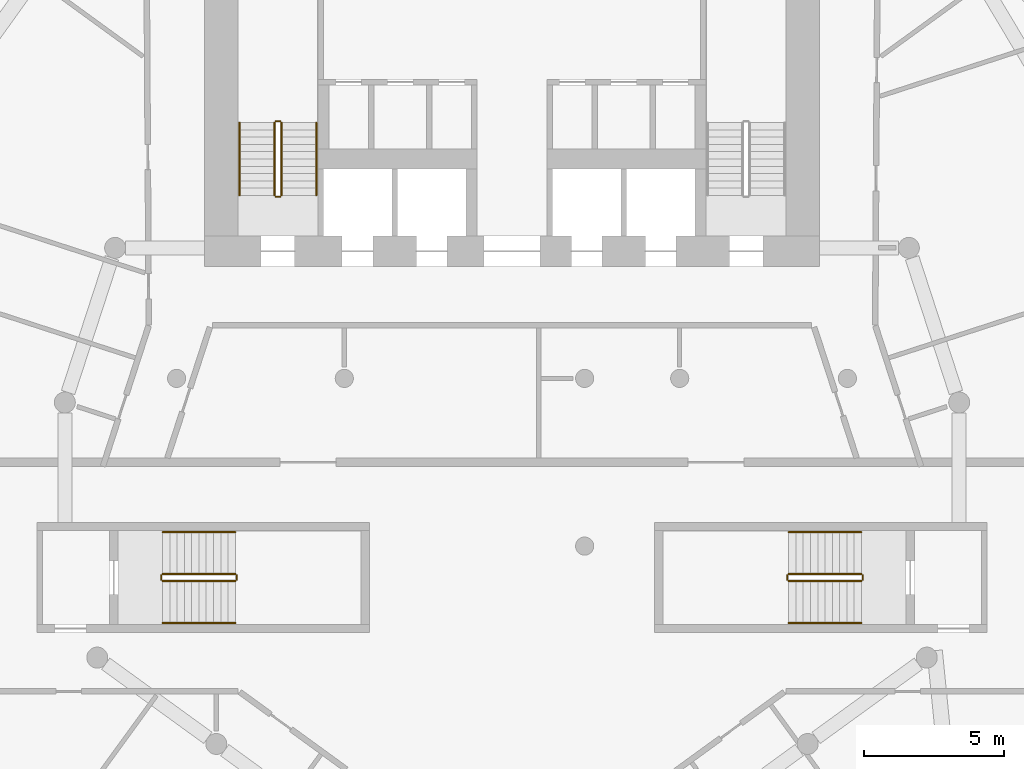
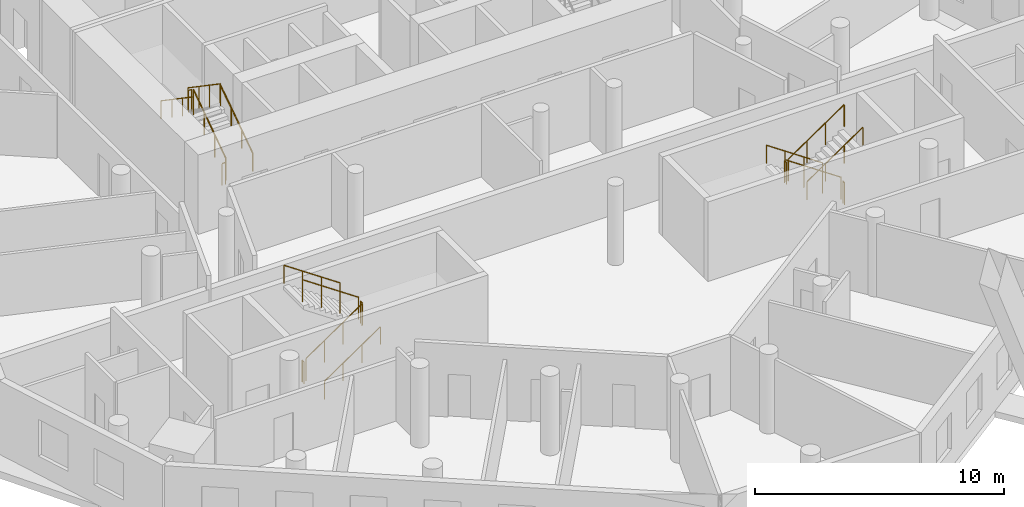
# One storey, part 9 of 10: 18 railings.
"""IFC4 building model written with IfcOpenShell, lengths in metres."""

import ifcopenshell
import ifcopenshell.guid

model = None  # the IFC model being written
_history = None  # IfcOwnerHistory: only IFC2X3 demands one
_inside = {}  # id of a spatial element -> (the spatial element, [elements in it])
_under = {}  # id of a project, library or spatial element -> (it, [spatial elements below it])
_declared = {}  # id of a project -> (the project, [libraries it declares])
_typed = {}  # id of a type object -> (the type object, [elements of that type])
_made_of = {}  # id of a material, layer set ... -> (it, [elements and type objects made of it])


def new_model(schema):
    """Start an empty IFC model of exactly this schema.

    Asked for "IFC4X3", IfcOpenShell would pick the latest addendum, in which some entities
    have other attributes; the version numbers below select the first issue.
    IFC2X3 requires an IfcOwnerHistory on every rooted entity: one is made here for all.
    """
    global model, _history
    if schema == "IFC4X3":
        model = ifcopenshell.file(schema_version=(4, 3, 0, 0))
    else:
        model = ifcopenshell.file(schema=schema)
    _inside.clear()
    _under.clear()
    _declared.clear()
    _typed.clear()
    _made_of.clear()
    _history = None
    if model.schema == "IFC2X3":
        org = make("IfcOrganization", Name="unknown")
        user = make(
            "IfcPersonAndOrganization",
            ThePerson=make("IfcPerson", FamilyName="unknown"),
            TheOrganization=org,
        )
        app = make(
            "IfcApplication",
            ApplicationDeveloper=org,
            Version="unknown",
            ApplicationFullName="unknown",
            ApplicationIdentifier="unknown",
        )
        _history = make(
            "IfcOwnerHistory",
            OwningUser=user,
            OwningApplication=app,
            ChangeAction="ADDED",
            CreationDate=0,
        )
    return model


def make(cls, **values):
    """One entity of the class cls with the attributes given. An attribute that is None is left unset."""
    return model.create_entity(
        cls, **{name: value for name, value in values.items() if value is not None}
    )


def rooted(cls, **values):
    """An entity with a GlobalId (a new one), such as an element, a storey or a relation."""
    return make(cls, GlobalId=ifcopenshell.guid.new(), OwnerHistory=_history, **values)


def si_unit(unit_type, name, prefix=None):
    """IfcSIUnit, for example si_unit("LENGTHUNIT", "METRE", prefix="MILLI")."""
    return make("IfcSIUnit", UnitType=unit_type, Prefix=prefix, Name=name)


def assignment(units):
    """IfcUnitAssignment: the units of a project."""
    return None if units is None else make("IfcUnitAssignment", Units=units)


def point(xyz):
    """IfcCartesianPoint."""
    return None if xyz is None else make("IfcCartesianPoint", Coordinates=xyz)


def direction(xyz):
    """IfcDirection."""
    return None if xyz is None else make("IfcDirection", DirectionRatios=xyz)


def frame(location, z_axis=None, x_axis=None):
    """IfcAxis2Placement3D, a coordinate frame: its origin and axes. An axis left out is left unset."""
    return make(
        "IfcAxis2Placement3D",
        Location=point(location),
        Axis=direction(z_axis),
        RefDirection=direction(x_axis),
    )


def frame_2d(location, x_axis=None):
    """IfcAxis2Placement2D, a coordinate frame in the plane: its origin and x axis."""
    return make(
        "IfcAxis2Placement2D", Location=point(location), RefDirection=direction(x_axis)
    )


def origin():
    """The frame at (0, 0, 0) with its axes left unset."""
    return frame((0.0, 0.0, 0.0))


def origin_2d():
    """The frame at (0, 0) in the plane with its x axis left unset."""
    return frame_2d((0.0, 0.0))


def place(relative_to, where):
    """IfcLocalPlacement: puts the frame where relative to a parent placement (None: the world)."""
    return make(
        "IfcLocalPlacement", PlacementRelTo=relative_to, RelativePlacement=where
    )


def context(
    kind, dimensions, precision=None, world=None, true_north=None, identifier=None
):
    """IfcGeometricRepresentationContext, for example the 3D "Model" context."""
    return make(
        "IfcGeometricRepresentationContext",
        ContextIdentifier=identifier,
        ContextType=kind,
        CoordinateSpaceDimension=dimensions,
        Precision=precision,
        WorldCoordinateSystem=world,
        TrueNorth=true_north,
    )


def subcontext(parent, identifier, kind, view, scale=None):
    """IfcGeometricRepresentationSubContext, for example "Body" below "Model"."""
    return make(
        "IfcGeometricRepresentationSubContext",
        ContextIdentifier=identifier,
        ContextType=kind,
        ParentContext=parent,
        TargetScale=scale,
        TargetView=view,
    )


def project(units=None, contexts=None):
    """IfcProject with its units and contexts."""
    return rooted(
        "IfcProject",
        Name="project",
        RepresentationContexts=contexts,
        UnitsInContext=assignment(units),
    )


def spatial(cls, under=None, at=None, **own):
    """A site, building, storey or space (cls), placed at a placement, below another one or the project."""
    s = rooted(cls, ObjectPlacement=at, **own)
    if under is not None:
        _under.setdefault(under.id(), (under, []))[1].append(s)
    return s


def profile(cls, at=None, kind="AREA", **sizes):
    """A parametric profile (cls). Its sizes go by their IFC names, for example OverallWidth=200.0."""
    return make(cls, ProfileType=kind, Position=at, **sizes)


def circle(**sizes):
    """IfcCircleProfileDef."""
    return profile("IfcCircleProfileDef", **sizes)


def extrude(swept, where, along, depth):
    """IfcExtrudedAreaSolid: the profile swept, set in the frame where, extruded along a direction by depth."""
    return make(
        "IfcExtrudedAreaSolid",
        SweptArea=swept,
        Position=where,
        ExtrudedDirection=direction(along),
        Depth=depth,
    )


def shape(context_of_items, identifier, shape_type, items):
    """IfcShapeRepresentation: the items that make up one representation, for example the "Body"."""
    return make(
        "IfcShapeRepresentation",
        ContextOfItems=context_of_items,
        RepresentationIdentifier=identifier,
        RepresentationType=shape_type,
        Items=items,
    )


def material(Name=None, Category=None):
    """IfcMaterial."""
    return make("IfcMaterial", Name=Name, Category=Category)


def made_of(thing, what):
    """Note that an element or type object is made of a material, layer set ...; save() writes the relation."""
    if what is not None:
        _made_of.setdefault(what.id(), (what, []))[1].append(thing)
    return thing


def type_object(cls, material=None, **own):
    """A type object (cls), such as IfcWallType, which elements share."""
    return made_of(rooted(cls, **own), material)


def element(
    cls,
    number,
    at=None,
    inside=None,
    cuts=None,
    type_object=None,
    material=None,
    context=None,
    identifier="Body",
    shape_type=None,
    held_by="IfcProductDefinitionShape",
    body=None,
    shapes=None,
    **own,
):
    """One element of the class cls, such as IfcWall. Its Tag is "e" and its number.

    at: its placement. inside: the storey or other place that contains it. cuts: it is an
    opening in that element (IfcRelVoidsElement). A single representation is given by context,
    identifier, shape_type and body (its items); several are given by shapes. held_by: the class
    of the entity that holds the representations. save() writes the other relations.
    """
    e = rooted(cls, Tag="e%d" % number, ObjectPlacement=at, **own)
    if body is not None:
        shapes = [shape(context, identifier, shape_type, body)]
    if shapes is not None:
        e.Representation = make(held_by, Representations=shapes)
    if inside is not None:
        _inside.setdefault(inside.id(), (inside, []))[1].append(e)
    if cuts is not None:
        rooted(
            "IfcRelVoidsElement", RelatingBuildingElement=cuts, RelatedOpeningElement=e
        )
    if type_object is not None:
        _typed.setdefault(type_object.id(), (type_object, []))[1].append(e)
    return made_of(e, material)


def aggregate(whole, parts):
    """IfcRelAggregates: a whole, such as a stair, and the parts it consists of."""
    return rooted("IfcRelAggregates", RelatingObject=whole, RelatedObjects=parts)


def save(model, path):
    """Write the relations noted so far, then the file.

    IfcRelAggregates (storeys below a building ...), IfcRelContainedInSpatialStructure (elements
    in a storey), IfcRelDefinesByType, IfcRelAssociatesMaterial and IfcRelDeclares: one each for
    every whole, place, type object, material and project.
    """
    for whole, parts in _under.values():
        aggregate(whole, parts)
    for where, things in _inside.values():
        rooted(
            "IfcRelContainedInSpatialStructure",
            RelatedElements=things,
            RelatingStructure=where,
        )
    for kind, things in _typed.values():
        rooted("IfcRelDefinesByType", RelatedObjects=things, RelatingType=kind)
    for what, things in _made_of.values():
        rooted("IfcRelAssociatesMaterial", RelatedObjects=things, RelatingMaterial=what)
    for by, libraries in _declared.values():
        rooted("IfcRelDeclares", RelatingContext=by, RelatedDefinitions=libraries)
    model.write(path)


model = new_model("IFC4")

# Units and contexts
model_context = context("Model", 3, precision=1e-05, world=origin(), true_north=direction((0.0, 1.0)))
body_context = subcontext(model_context, "Body", "Model", "MODEL_VIEW")
ifc_project = project(units=[si_unit("LENGTHUNIT", "METRE"), si_unit("AREAUNIT", "SQUARE_METRE"), si_unit("VOLUMEUNIT", "CUBIC_METRE"), si_unit("PLANEANGLEUNIT", "RADIAN"), si_unit("MASSUNIT", "GRAM", prefix="KILO")], contexts=[model_context])

# Site, building, storey
site_placement = place(None, origin())
site = spatial("IfcSite", under=ifc_project, at=site_placement, CompositionType="ELEMENT")
building_placement = place(site_placement, origin())
building = spatial("IfcBuilding", under=site, at=building_placement, Name="White Candle Pilgrim Tower", CompositionType="ELEMENT")
storey_placement = place(building_placement, frame((0.0, 0.0, 125.89990234375)))
storey = spatial("IfcBuildingStorey", under=building, at=storey_placement, Name="L28", CompositionType="ELEMENT", Elevation=125.89990234375)

# Railings
ifc_material = material(Name="Stainless steel", Category="steel")
railing_type_1 = type_object("IfcRailingType", Name="Stair guard stainless steel 1100 mm", PredefinedType="GUARDRAIL", material=ifc_material)
railing_1_placement = place(storey_placement, frame((61.75, 73.550048828125, 0.177490234375)))
element("IfcRailing", 1, at=railing_1_placement, inside=storey, type_object=railing_type_1, Name="L28 ST1 stair guard 1", PredefinedType="GUARDRAIL", context=body_context, shape_type="SweptSolid", body=[
    extrude(circle(Radius=0.02392578125, at=origin_2d()), frame((0.0, 0.0, 1.076171875), z_axis=(0.0, 0.826215852431, 0.563353676824), x_axis=(-1.0, 0.0, 0.0)), (0.0, 0.0, 1.0), 3.146728515625),
    extrude(circle(Radius=0.02099609375, at=origin_2d()), origin(), (0.0, 0.0, 1.0), 1.052001953125),
    extrude(circle(Radius=0.02099609375, at=origin_2d()), frame((0.0, 0.86669921875, 0.5908203125)), (0.0, 0.0, 1.0), 1.052001953125),
    extrude(circle(Radius=0.02099609375, at=origin_2d()), frame((0.0, 1.733154296875, 1.181884765625)), (0.0, 0.0, 1.0), 1.052001953125),
    extrude(circle(Radius=0.02099609375, at=origin_2d()), frame((0.0, 2.599853515625, 1.772705078125)), (0.0, 0.0, 1.0), 1.052001953125),
])
railing_2_placement = place(storey_placement, frame((61.699951171875, 76.199951171875, 1.9501953125)))
element("IfcRailing", 2, at=railing_2_placement, inside=storey, type_object=railing_type_1, Name="L28 ST1 stair guard 2", PredefinedType="GUARDRAIL", context=body_context, shape_type="SweptSolid", body=[
    extrude(circle(Radius=0.02392578125, at=origin_2d()), frame((0.0, 0.0, 1.076171875), z_axis=(-1.0, 0.0, 0.0), x_axis=(0.0, -1.0, 0.0)), (0.0, 0.0, 1.0), 0.14990234375),
    extrude(circle(Radius=0.02099609375, at=origin_2d()), origin(), (0.0, 0.0, 1.0), 1.052001953125),
    extrude(circle(Radius=0.02099609375, at=origin_2d()), frame((-0.14990234375, 0.0, 0.0)), (0.0, 0.0, 1.0), 1.052001953125),
])
railing_3_placement = place(storey_placement, frame((61.5, 76.14990234375, 2.12744140625)))
element("IfcRailing", 3, at=railing_3_placement, inside=storey, type_object=railing_type_1, Name="L28 ST1 stair guard 3", PredefinedType="GUARDRAIL", context=body_context, shape_type="SweptSolid", body=[
    extrude(circle(Radius=0.02392578125, at=origin_2d()), frame((0.0, 0.0, 1.076171875), z_axis=(0.0, -0.826215852431, 0.563353676824), x_axis=(1.0, 0.0, 0.0)), (0.0, 0.0, 1.0), 3.146728515625),
    extrude(circle(Radius=0.02099609375, at=origin_2d()), origin(), (0.0, 0.0, 1.0), 1.052001953125),
    extrude(circle(Radius=0.02099609375, at=origin_2d()), frame((0.0, -0.86669921875, 0.5908203125)), (0.0, 0.0, 1.0), 1.052001953125),
    extrude(circle(Radius=0.02099609375, at=origin_2d()), frame((0.0, -1.733154296875, 1.181884765625)), (0.0, 0.0, 1.0), 1.052001953125),
    extrude(circle(Radius=0.02099609375, at=origin_2d()), frame((0.0, -2.599853515625, 1.772705078125)), (0.0, 0.0, 1.0), 1.052001953125),
])
railing_4_placement = place(storey_placement, frame((61.699951171875, 73.5, 0.0)))
element("IfcRailing", 4, at=railing_4_placement, inside=storey, type_object=railing_type_1, Name="L28 ST1 stair guard 4", PredefinedType="GUARDRAIL", context=body_context, shape_type="SweptSolid", body=[
    extrude(circle(Radius=0.02392578125, at=origin_2d()), frame((0.0, 0.0, 1.076171875), z_axis=(-1.0, 0.0, 0.0), x_axis=(0.0, -1.0, 0.0)), (0.0, 0.0, 1.0), 0.14990234375),
    extrude(circle(Radius=0.02099609375, at=origin_2d()), origin(), (0.0, 0.0, 1.0), 1.052001953125),
    extrude(circle(Radius=0.02099609375, at=origin_2d()), frame((-0.14990234375, 0.0, 0.0)), (0.0, 0.0, 1.0), 1.052001953125),
])
railing_5_placement = place(storey_placement, frame((82.5, 60.0, 0.177490234375)))
element("IfcRailing", 5, at=railing_5_placement, inside=storey, type_object=railing_type_1, Name="L28 ST4 stair guard 1", PredefinedType="GUARDRAIL", context=body_context, shape_type="SweptSolid", body=[
    extrude(circle(Radius=0.02392578125, at=origin_2d()), frame((0.0, 0.0, 1.076171875), z_axis=(-0.826240473404, 0.0, 0.563317565952), x_axis=(0.0, -1.0, 0.0)), (0.0, 0.0, 1.0), 3.14697265625),
    extrude(circle(Radius=0.02099609375, at=origin_2d()), origin(), (0.0, 0.0, 1.0), 1.052001953125),
    extrude(circle(Radius=0.02099609375, at=origin_2d()), frame((-0.86669921875, 0.0, 0.5908203125)), (0.0, 0.0, 1.0), 1.052001953125),
    extrude(circle(Radius=0.02099609375, at=origin_2d()), frame((-1.7333984375, 0.0, 1.181884765625)), (0.0, 0.0, 1.0), 1.052001953125),
    extrude(circle(Radius=0.02099609375, at=origin_2d()), frame((-2.60009765625, 0.0, 1.772705078125)), (0.0, 0.0, 1.0), 1.052001953125),
])
railing_6_placement = place(storey_placement, frame((79.85009765625, 59.949951171875, 1.9501953125)))
element("IfcRailing", 6, at=railing_6_placement, inside=storey, type_object=railing_type_1, Name="L28 ST4 stair guard 2", PredefinedType="GUARDRAIL", context=body_context, shape_type="SweptSolid", body=[
    extrude(circle(Radius=0.02392578125, at=origin_2d()), frame((0.0, 0.0, 1.076171875), z_axis=(0.0, -1.0, 0.0), x_axis=(1.0, 0.0, 0.0)), (0.0, 0.0, 1.0), 0.14990234375),
    extrude(circle(Radius=0.02099609375, at=origin_2d()), origin(), (0.0, 0.0, 1.0), 1.052001953125),
    extrude(circle(Radius=0.02099609375, at=origin_2d()), frame((0.0, -0.14990234375, 0.0)), (0.0, 0.0, 1.0), 1.052001953125),
])
railing_7_placement = place(storey_placement, frame((79.89990234375, 59.75, 2.12744140625)))
element("IfcRailing", 7, at=railing_7_placement, inside=storey, type_object=railing_type_1, Name="L28 ST4 stair guard 3", PredefinedType="GUARDRAIL", context=body_context, shape_type="SweptSolid", body=[
    extrude(circle(Radius=0.02392578125, at=origin_2d()), frame((0.0, 0.0, 1.076171875), z_axis=(0.826240473404, 0.0, 0.563317565952), x_axis=(0.0, 1.0, 0.0)), (0.0, 0.0, 1.0), 3.14697265625),
    extrude(circle(Radius=0.02099609375, at=origin_2d()), origin(), (0.0, 0.0, 1.0), 1.052001953125),
    extrude(circle(Radius=0.02099609375, at=origin_2d()), frame((0.86669921875, 0.0, 0.5908203125)), (0.0, 0.0, 1.0), 1.052001953125),
    extrude(circle(Radius=0.02099609375, at=origin_2d()), frame((1.7333984375, 0.0, 1.181884765625)), (0.0, 0.0, 1.0), 1.052001953125),
    extrude(circle(Radius=0.02099609375, at=origin_2d()), frame((2.60009765625, 0.0, 1.772705078125)), (0.0, 0.0, 1.0), 1.052001953125),
])
railing_8_placement = place(storey_placement, frame((82.550048828125, 59.949951171875, 0.0)))
element("IfcRailing", 8, at=railing_8_placement, inside=storey, type_object=railing_type_1, Name="L28 ST4 stair guard 4", PredefinedType="GUARDRAIL", context=body_context, shape_type="SweptSolid", body=[
    extrude(circle(Radius=0.02392578125, at=origin_2d()), frame((0.0, 0.0, 1.076171875), z_axis=(0.0, -1.0, 0.0), x_axis=(1.0, 0.0, 0.0)), (0.0, 0.0, 1.0), 0.14990234375),
    extrude(circle(Radius=0.02099609375, at=origin_2d()), origin(), (0.0, 0.0, 1.0), 1.052001953125),
    extrude(circle(Radius=0.02099609375, at=origin_2d()), frame((0.0, -0.14990234375, 0.0)), (0.0, 0.0, 1.0), 1.052001953125),
])
railing_9_placement = place(storey_placement, frame((57.5, 59.75, 0.177490234375)))
element("IfcRailing", 9, at=railing_9_placement, inside=storey, type_object=railing_type_1, Name="L28 ST5 stair guard 1", PredefinedType="GUARDRAIL", context=body_context, shape_type="SweptSolid", body=[
    extrude(circle(Radius=0.02392578125, at=origin_2d()), frame((0.0, 0.0, 1.076171875), z_axis=(0.826240473404, 0.0, 0.563317565952), x_axis=(0.0, 1.0, 0.0)), (0.0, 0.0, 1.0), 3.14697265625),
    extrude(circle(Radius=0.02099609375, at=origin_2d()), origin(), (0.0, 0.0, 1.0), 1.052001953125),
    extrude(circle(Radius=0.02099609375, at=origin_2d()), frame((0.86669921875, 0.0, 0.5908203125)), (0.0, 0.0, 1.0), 1.052001953125),
    extrude(circle(Radius=0.02099609375, at=origin_2d()), frame((1.7333984375, 0.0, 1.181884765625)), (0.0, 0.0, 1.0), 1.052001953125),
    extrude(circle(Radius=0.02099609375, at=origin_2d()), frame((2.60009765625, 0.0, 1.772705078125)), (0.0, 0.0, 1.0), 1.052001953125),
])
railing_10_placement = place(storey_placement, frame((60.14990234375, 59.800048828125, 1.9501953125)))
element("IfcRailing", 10, at=railing_10_placement, inside=storey, type_object=railing_type_1, Name="L28 ST5 stair guard 2", PredefinedType="GUARDRAIL", context=body_context, shape_type="SweptSolid", body=[
    extrude(circle(Radius=0.02392578125, at=origin_2d()), frame((0.0, 0.0, 1.076171875), z_axis=(0.0, 1.0, 0.0), x_axis=(-1.0, 0.0, 0.0)), (0.0, 0.0, 1.0), 0.14990234375),
    extrude(circle(Radius=0.02099609375, at=origin_2d()), origin(), (0.0, 0.0, 1.0), 1.052001953125),
    extrude(circle(Radius=0.02099609375, at=origin_2d()), frame((0.0, 0.14990234375, 0.0)), (0.0, 0.0, 1.0), 1.052001953125),
])
railing_11_placement = place(storey_placement, frame((60.10009765625, 60.0, 2.12744140625)))
element("IfcRailing", 11, at=railing_11_placement, inside=storey, type_object=railing_type_1, Name="L28 ST5 stair guard 3", PredefinedType="GUARDRAIL", context=body_context, shape_type="SweptSolid", body=[
    extrude(circle(Radius=0.02392578125, at=origin_2d()), frame((0.0, 0.0, 1.076171875), z_axis=(-0.826240473404, 0.0, 0.563317565952), x_axis=(0.0, -1.0, 0.0)), (0.0, 0.0, 1.0), 3.14697265625),
    extrude(circle(Radius=0.02099609375, at=origin_2d()), origin(), (0.0, 0.0, 1.0), 1.052001953125),
    extrude(circle(Radius=0.02099609375, at=origin_2d()), frame((-0.86669921875, 0.0, 0.5908203125)), (0.0, 0.0, 1.0), 1.052001953125),
    extrude(circle(Radius=0.02099609375, at=origin_2d()), frame((-1.7333984375, 0.0, 1.181884765625)), (0.0, 0.0, 1.0), 1.052001953125),
    extrude(circle(Radius=0.02099609375, at=origin_2d()), frame((-2.60009765625, 0.0, 1.772705078125)), (0.0, 0.0, 1.0), 1.052001953125),
])
railing_12_placement = place(storey_placement, frame((57.449951171875, 59.800048828125, 0.0)))
element("IfcRailing", 12, at=railing_12_placement, inside=storey, type_object=railing_type_1, Name="L28 ST5 stair guard 4", PredefinedType="GUARDRAIL", context=body_context, shape_type="SweptSolid", body=[
    extrude(circle(Radius=0.02392578125, at=origin_2d()), frame((0.0, 0.0, 1.076171875), z_axis=(0.0, 1.0, 0.0), x_axis=(-1.0, 0.0, 0.0)), (0.0, 0.0, 1.0), 0.14990234375),
    extrude(circle(Radius=0.02099609375, at=origin_2d()), origin(), (0.0, 0.0, 1.0), 1.052001953125),
    extrude(circle(Radius=0.02099609375, at=origin_2d()), frame((0.0, 0.14990234375, 0.0)), (0.0, 0.0, 1.0), 1.052001953125),
])
railing_type_2 = type_object("IfcRailingType", Name="Stair handrail stainless steel", PredefinedType="HANDRAIL", material=ifc_material)
railing_13_placement = place(storey_placement, frame((63.0, 73.550048828125, 0.177490234375)))
element("IfcRailing", 13, at=railing_13_placement, inside=storey, type_object=railing_type_2, Name="L28 ST1 stair handrail 1", PredefinedType="HANDRAIL", context=body_context, shape_type="SweptSolid", body=[
    extrude(circle(Radius=0.02392578125, at=origin_2d()), frame((0.0, 0.0, 0.8759765625), z_axis=(0.0, 0.826215852431, 0.563353676824), x_axis=(-1.0, 0.0, 0.0)), (0.0, 0.0, 1.0), 3.146728515625),
    extrude(circle(Radius=0.02099609375, at=origin_2d()), origin(), (0.0, 0.0, 1.0), 0.851806640625),
    extrude(circle(Radius=0.02099609375, at=origin_2d()), frame((0.0, 0.86669921875, 0.5908203125)), (0.0, 0.0, 1.0), 0.851806640625),
    extrude(circle(Radius=0.02099609375, at=origin_2d()), frame((0.0, 1.733154296875, 1.181884765625)), (0.0, 0.0, 1.0), 0.851806640625),
    extrude(circle(Radius=0.02099609375, at=origin_2d()), frame((0.0, 2.599853515625, 1.772705078125)), (0.0, 0.0, 1.0), 0.851806640625),
])
railing_14_placement = place(storey_placement, frame((60.25, 76.14990234375, 2.12744140625)))
element("IfcRailing", 14, at=railing_14_placement, inside=storey, type_object=railing_type_2, Name="L28 ST1 stair handrail 2", PredefinedType="HANDRAIL", context=body_context, shape_type="SweptSolid", body=[
    extrude(circle(Radius=0.02392578125, at=origin_2d()), frame((0.0, 0.0, 0.8759765625), z_axis=(0.0, -0.826215852431, 0.563353676824), x_axis=(1.0, 0.0, 0.0)), (0.0, 0.0, 1.0), 3.146728515625),
    extrude(circle(Radius=0.02099609375, at=origin_2d()), origin(), (0.0, 0.0, 1.0), 0.851806640625),
    extrude(circle(Radius=0.02099609375, at=origin_2d()), frame((0.0, -0.86669921875, 0.5908203125)), (0.0, 0.0, 1.0), 0.851806640625),
    extrude(circle(Radius=0.02099609375, at=origin_2d()), frame((0.0, -1.733154296875, 1.181884765625)), (0.0, 0.0, 1.0), 0.851806640625),
    extrude(circle(Radius=0.02099609375, at=origin_2d()), frame((0.0, -2.599853515625, 1.772705078125)), (0.0, 0.0, 1.0), 0.851806640625),
])
railing_15_placement = place(storey_placement, frame((82.5, 61.5, 0.177490234375)))
element("IfcRailing", 15, at=railing_15_placement, inside=storey, type_object=railing_type_2, Name="L28 ST4 stair handrail 1", PredefinedType="HANDRAIL", context=body_context, shape_type="SweptSolid", body=[
    extrude(circle(Radius=0.02392578125, at=origin_2d()), frame((0.0, 0.0, 0.8759765625), z_axis=(-0.826240473404, 0.0, 0.563317565952), x_axis=(0.0, -1.0, 0.0)), (0.0, 0.0, 1.0), 3.14697265625),
    extrude(circle(Radius=0.02099609375, at=origin_2d()), origin(), (0.0, 0.0, 1.0), 0.851806640625),
    extrude(circle(Radius=0.02099609375, at=origin_2d()), frame((-0.86669921875, 0.0, 0.5908203125)), (0.0, 0.0, 1.0), 0.851806640625),
    extrude(circle(Radius=0.02099609375, at=origin_2d()), frame((-1.7333984375, 0.0, 1.181884765625)), (0.0, 0.0, 1.0), 0.851806640625),
    extrude(circle(Radius=0.02099609375, at=origin_2d()), frame((-2.60009765625, 0.0, 1.772705078125)), (0.0, 0.0, 1.0), 0.851806640625),
])
for number, where, name in (
    (16, (79.89990234375, 58.25, 2.12744140625), "L28 ST4 stair handrail 2"),
    (17, (57.5, 58.25, 0.177490234375), "L28 ST5 stair handrail 1"),
):
    element("IfcRailing", number, at=place(storey_placement, frame(where)), inside=storey, type_object=railing_type_2, Name=name, PredefinedType="HANDRAIL", context=body_context, shape_type="SweptSolid", body=[
        extrude(circle(Radius=0.02392578125, at=origin_2d()), frame((0.0, 0.0, 0.8759765625), z_axis=(0.826240473404, 0.0, 0.563317565952), x_axis=(0.0, 1.0, 0.0)), (0.0, 0.0, 1.0), 3.14697265625),
        extrude(circle(Radius=0.02099609375, at=origin_2d()), origin(), (0.0, 0.0, 1.0), 0.851806640625),
        extrude(circle(Radius=0.02099609375, at=origin_2d()), frame((0.86669921875, 0.0, 0.5908203125)), (0.0, 0.0, 1.0), 0.851806640625),
        extrude(circle(Radius=0.02099609375, at=origin_2d()), frame((1.7333984375, 0.0, 1.181884765625)), (0.0, 0.0, 1.0), 0.851806640625),
        extrude(circle(Radius=0.02099609375, at=origin_2d()), frame((2.60009765625, 0.0, 1.772705078125)), (0.0, 0.0, 1.0), 0.851806640625),
    ])
railing_16_placement = place(storey_placement, frame((60.10009765625, 61.5, 2.12744140625)))
element("IfcRailing", 18, at=railing_16_placement, inside=storey, type_object=railing_type_2, Name="L28 ST5 stair handrail 2", PredefinedType="HANDRAIL", context=body_context, shape_type="SweptSolid", body=[
    extrude(circle(Radius=0.02392578125, at=origin_2d()), frame((0.0, 0.0, 0.8759765625), z_axis=(-0.826240473404, 0.0, 0.563317565952), x_axis=(0.0, -1.0, 0.0)), (0.0, 0.0, 1.0), 3.14697265625),
    extrude(circle(Radius=0.02099609375, at=origin_2d()), origin(), (0.0, 0.0, 1.0), 0.851806640625),
    extrude(circle(Radius=0.02099609375, at=origin_2d()), frame((-0.86669921875, 0.0, 0.5908203125)), (0.0, 0.0, 1.0), 0.851806640625),
    extrude(circle(Radius=0.02099609375, at=origin_2d()), frame((-1.7333984375, 0.0, 1.181884765625)), (0.0, 0.0, 1.0), 0.851806640625),
    extrude(circle(Radius=0.02099609375, at=origin_2d()), frame((-2.60009765625, 0.0, 1.772705078125)), (0.0, 0.0, 1.0), 0.851806640625),
])

save(model, "model.ifc")
